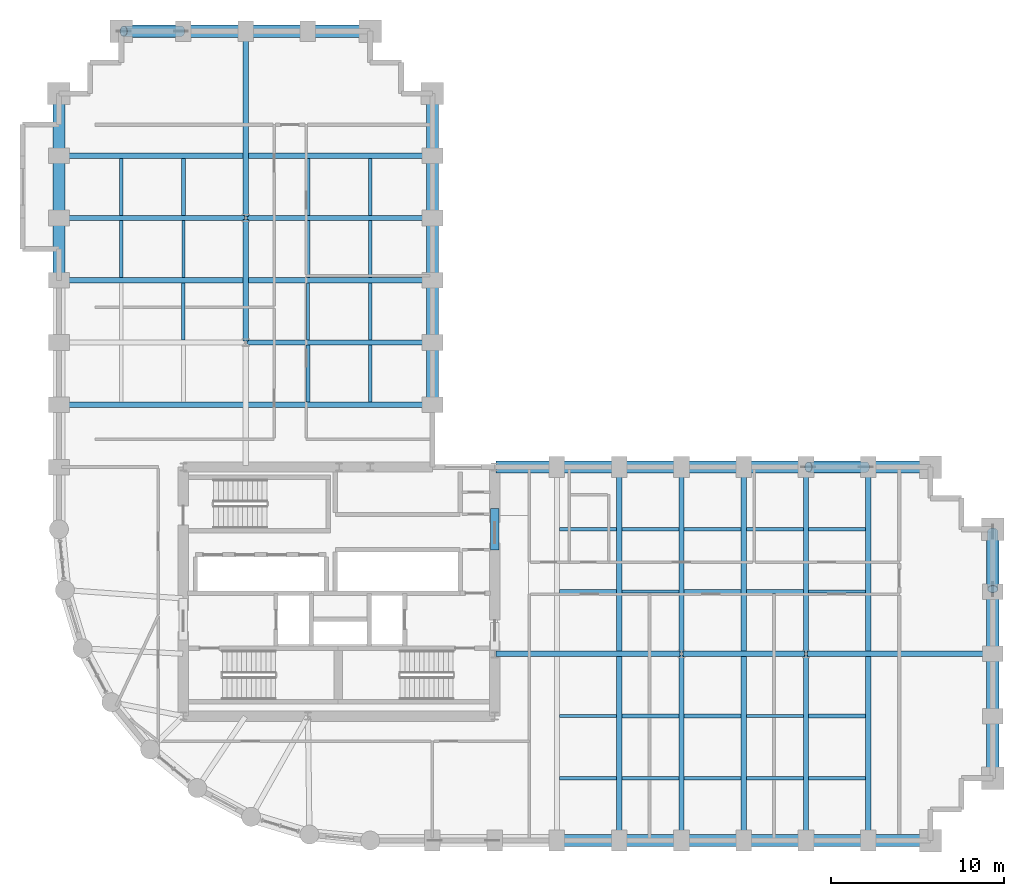
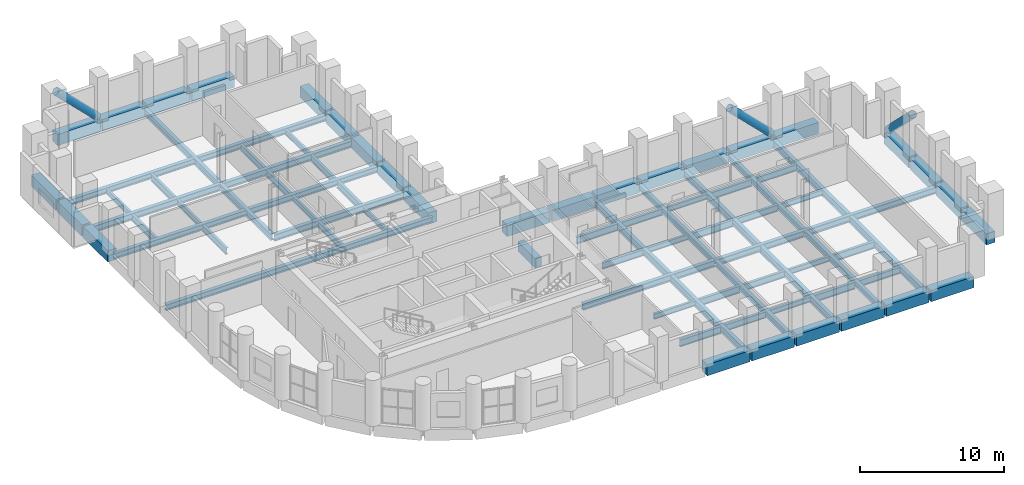
# One storey, part 6 of 13: 81 beams, 3 members.
"""IFC4 building model written with IfcOpenShell, lengths in metres."""

from ifc_helpers import new_model, si_unit, direction, frame, origin, origin_2d, place, context, subcontext, project, spatial, rectangle, hollow_circle, i_section, extrude, material, material_profile, profile_set, type_object, element, save


model = new_model("IFC4")

# Units and contexts
model_context = context("Model", 3, precision=1e-05, world=origin(), true_north=direction((0.0, 1.0)))
body_context = subcontext(model_context, "Body", "Model", "MODEL_VIEW")
ifc_project = project(units=[si_unit("LENGTHUNIT", "METRE"), si_unit("AREAUNIT", "SQUARE_METRE"), si_unit("VOLUMEUNIT", "CUBIC_METRE"), si_unit("PLANEANGLEUNIT", "RADIAN"), si_unit("MASSUNIT", "GRAM", prefix="KILO")], contexts=[model_context])

# Site, building, storey
site_placement = place(None, origin())
site = spatial("IfcSite", under=ifc_project, at=site_placement, CompositionType="ELEMENT")
building_placement = place(site_placement, origin())
building = spatial("IfcBuilding", under=site, at=building_placement, Name="Solnavia Interchange Tower", CompositionType="ELEMENT")
storey_placement = place(building_placement, frame((0.0, 0.0, 51.300048828125)))
storey = spatial("IfcBuildingStorey", under=building, at=storey_placement, Name="L12", CompositionType="ELEMENT", Elevation=51.300048828125)

# Beams
ifc_material_1 = material(Name="Concrete C50/60", Category="concrete")
ifc_material_profile_1 = material_profile(ifc_material_1, rectangle(XDim=0.5, YDim=0.800048828125, at=origin_2d()), Name="RC 500x800")
ifc_profile_set_1 = profile_set([ifc_material_profile_1], Name="Concrete C50/60")
beam_type_1 = type_object("IfcBeamType", Name="Beam-Coupling-RC500x800", PredefinedType="LINTEL", material=ifc_profile_set_1)
beam_1_placement = place(storey_placement, frame((32.39990234375, 20.39990234375, -0.400146484375), z_axis=(0.0, 1.0, 0.0), x_axis=(-1.0, 0.0, 0.0)))
element("IfcBeam", 1, at=beam_1_placement, inside=storey, type_object=beam_type_1, Name="CPB-L12-E2 Core coupling lintel beam", PredefinedType="LINTEL", context=body_context, shape_type="SweptSolid", body=[
    extrude(rectangle(XDim=0.5, YDim=0.800048828125, at=origin_2d()), origin(), (0.0, 0.0, 1.0), 2.400146484375),
])
ifc_material_2 = material(Name="Steel S460", Category="steel")
ifc_material_profile_2 = material_profile(ifc_material_2, i_section(OverallWidth=0.300048828125, OverallDepth=0.550048828125, WebThickness=0.014892578125, FlangeThickness=0.029052734375, FilletRadius=0.027099609375, at=origin_2d()), Name="HEB 550")
ifc_profile_set_2 = profile_set([ifc_material_profile_2], Name="Steel S460")
beam_type_2 = type_object("IfcBeamType", Name="Beam-Girder-HEB550", PredefinedType="BEAM", material=ifc_profile_set_2)
beam_2_placement = place(storey_placement, frame((32.47998046875, 14.39990234375, -0.525146484375), z_axis=(1.0, 0.0, 0.0), x_axis=(0.0, 1.0, 0.0)))
element("IfcBeam", 2, at=beam_2_placement, inside=storey, type_object=beam_type_2, Name="GRD-L12-ES01 East wing spine girder", PredefinedType="BEAM", context=body_context, shape_type="SweptSolid", body=[
    extrude(i_section(OverallWidth=0.300048828125, OverallDepth=0.550048828125, WebThickness=0.014892578125, FlangeThickness=0.029052734375, FilletRadius=0.027099609375, at=origin_2d()), origin(), (0.0, 0.0, 1.0), 10.64013671875),
])
beam_3_placement = place(storey_placement, frame((43.280029296875, 14.39990234375, -0.525146484375), z_axis=(1.0, 0.0, 0.0), x_axis=(0.0, 1.0, 0.0)))
element("IfcBeam", 3, at=beam_3_placement, inside=storey, type_object=beam_type_2, Name="GRD-L12-ES02 East wing spine girder", PredefinedType="BEAM", context=body_context, shape_type="SweptSolid", body=[
    extrude(i_section(OverallWidth=0.300048828125, OverallDepth=0.550048828125, WebThickness=0.014892578125, FlangeThickness=0.029052734375, FilletRadius=0.027099609375, at=origin_2d()), origin(), (0.0, 0.0, 1.0), 7.0400390625),
])
beam_4_placement = place(storey_placement, frame((50.47998046875, 14.39990234375, -0.525146484375), z_axis=(1.0, 0.0, 0.0), x_axis=(0.0, 1.0, 0.0)))
element("IfcBeam", 4, at=beam_4_placement, inside=storey, type_object=beam_type_2, Name="GRD-L12-ES03 East wing spine girder", PredefinedType="BEAM", context=body_context, shape_type="SweptSolid", body=[
    extrude(i_section(OverallWidth=0.300048828125, OverallDepth=0.550048828125, WebThickness=0.014892578125, FlangeThickness=0.029052734375, FilletRadius=0.027099609375, at=origin_2d()), origin(), (0.0, 0.0, 1.0), 10.64013671875),
])
beam_5_placement = place(storey_placement, frame((18.0, 32.47998046875, -0.525146484375), z_axis=(0.0, 1.0, 0.0), x_axis=(-1.0, 0.0, 0.0)))
element("IfcBeam", 5, at=beam_5_placement, inside=storey, type_object=beam_type_2, Name="GRD-L12-NS13 North wing spine girder", PredefinedType="BEAM", context=body_context, shape_type="SweptSolid", body=[
    extrude(i_section(OverallWidth=0.300048828125, OverallDepth=0.550048828125, WebThickness=0.014892578125, FlangeThickness=0.029052734375, FilletRadius=0.027099609375, at=origin_2d()), origin(), (0.0, 0.0, 1.0), 7.0400390625),
])
beam_6_placement = place(storey_placement, frame((18.0, 39.679931640625, -0.525146484375), z_axis=(0.0, 1.0, 0.0), x_axis=(-1.0, 0.0, 0.0)))
element("IfcBeam", 6, at=beam_6_placement, inside=storey, type_object=beam_type_2, Name="GRD-L12-NS14 North wing spine girder", PredefinedType="BEAM", context=body_context, shape_type="SweptSolid", body=[
    extrude(i_section(OverallWidth=0.300048828125, OverallDepth=0.550048828125, WebThickness=0.014892578125, FlangeThickness=0.029052734375, FilletRadius=0.027099609375, at=origin_2d()), origin(), (0.0, 0.0, 1.0), 10.64013671875),
])
for number, where, z_axis, x_axis, name in (
    (7, (18.080078125, 32.39990234375, -0.525146484375), (1.0, 0.0, 0.0), (0.0, 1.0, 0.0), "GRD-L12-NW17 North wing primary floor girder"),
    (8, (7.280029296875, 39.60009765625, -0.525146484375), (1.0, 0.0, 0.0), (0.0, 1.0, 0.0), "GRD-L12-NW19 North wing primary floor girder"),
    (9, (18.080078125, 39.60009765625, -0.525146484375), (1.0, 0.0, 0.0), (0.0, 1.0, 0.0), "GRD-L12-NW20 North wing primary floor girder"),
):
    element("IfcBeam", number, at=place(storey_placement, frame(where, z_axis=z_axis, x_axis=x_axis)), inside=storey, type_object=beam_type_2, Name=name, PredefinedType="BEAM", context=body_context, shape_type="SweptSolid", body=[
        extrude(i_section(OverallWidth=0.300048828125, OverallDepth=0.550048828125, WebThickness=0.014892578125, FlangeThickness=0.029052734375, FilletRadius=0.027099609375, at=origin_2d()), origin(), (0.0, 0.0, 1.0), 10.639892578125),
    ])
ifc_material_3 = material(Name="Steel S355", Category="steel")
ifc_material_profile_3 = material_profile(ifc_material_3, i_section(OverallWidth=0.18994140625, OverallDepth=0.449951171875, WebThickness=0.009521484375, FlangeThickness=0.0146484375, FilletRadius=0.02099609375, at=origin_2d()), Name="IPE 450")
ifc_profile_set_3 = profile_set([ifc_material_profile_3], Name="Steel S355")
beam_type_3 = type_object("IfcBeamType", Name="Beam-Joist-IPE450", PredefinedType="JOIST", material=ifc_profile_set_3)
beam_7_placement = place(storey_placement, frame((43.35009765625, 7.199951171875, -0.47509765625), z_axis=(1.0, 0.0, 0.0), x_axis=(0.0, 1.0, 0.0)))
element("IfcBeam", 10, at=beam_7_placement, inside=storey, type_object=beam_type_3, Name="JST-L12-E03 East wing secondary joist", PredefinedType="JOIST", context=body_context, shape_type="SweptSolid", body=[
    extrude(i_section(OverallWidth=0.18994140625, OverallDepth=0.449951171875, WebThickness=0.009521484375, FlangeThickness=0.0146484375, FilletRadius=0.02099609375, at=origin_2d()), origin(), (0.0, 0.0, 1.0), 3.2998046875),
])
for number, where, z_axis, x_axis, name in (
    (11, (36.14990234375, 10.800048828125, -0.47509765625), (1.0, 0.0, 0.0), (0.0, 1.0, 0.0), "JST-L12-E06 East wing secondary joist"),
    (12, (46.949951171875, 10.800048828125, -0.47509765625), (1.0, 0.0, 0.0), (0.0, 1.0, 0.0), "JST-L12-E09 East wing secondary joist"),
    (13, (39.75, 18.0, -0.47509765625), (1.0, 0.0, 0.0), (0.0, 1.0, 0.0), "JST-L12-E12 East wing secondary joist"),
    (14, (50.550048828125, 18.0, -0.47509765625), (1.0, 0.0, 0.0), (0.0, 1.0, 0.0), "JST-L12-E15 East wing secondary joist"),
):
    element("IfcBeam", number, at=place(storey_placement, frame(where, z_axis=z_axis, x_axis=x_axis)), inside=storey, type_object=beam_type_3, Name=name, PredefinedType="JOIST", context=body_context, shape_type="SweptSolid", body=[
        extrude(i_section(OverallWidth=0.18994140625, OverallDepth=0.449951171875, WebThickness=0.009521484375, FlangeThickness=0.0146484375, FilletRadius=0.02099609375, at=origin_2d()), origin(), (0.0, 0.0, 1.0), 3.300048828125),
    ])
beam_8_placement = place(storey_placement, frame((43.35009765625, 21.60009765625, -0.47509765625), z_axis=(1.0, 0.0, 0.0), x_axis=(0.0, 1.0, 0.0)))
element("IfcBeam", 15, at=beam_8_placement, inside=storey, type_object=beam_type_3, Name="JST-L12-E18 East wing secondary joist", PredefinedType="JOIST", context=body_context, shape_type="SweptSolid", body=[
    extrude(i_section(OverallWidth=0.18994140625, OverallDepth=0.449951171875, WebThickness=0.009521484375, FlangeThickness=0.0146484375, FilletRadius=0.02099609375, at=origin_2d()), origin(), (0.0, 0.0, 1.0), 3.2998046875),
])
for number, where, z_axis, x_axis, name in (
    (16, (10.800048828125, 39.75, -0.47509765625), (0.0, 1.0, 0.0), (-1.0, 0.0, 0.0), "JST-L12-N24 North wing secondary joist"),
    (17, (14.39990234375, 36.14990234375, -0.47509765625), (0.0, 1.0, 0.0), (-1.0, 0.0, 0.0), "JST-L12-N27 North wing secondary joist"),
    (18, (21.60009765625, 32.550048828125, -0.47509765625), (0.0, 1.0, 0.0), (-1.0, 0.0, 0.0), "JST-L12-N30 North wing secondary joist"),
    (19, (25.199951171875, 28.949951171875, -0.47509765625), (0.0, 1.0, 0.0), (-1.0, 0.0, 0.0), "JST-L12-N33 North wing secondary joist"),
    (20, (25.199951171875, 39.75, -0.47509765625), (0.0, 1.0, 0.0), (-1.0, 0.0, 0.0), "JST-L12-N36 North wing secondary joist"),
):
    element("IfcBeam", number, at=place(storey_placement, frame(where, z_axis=z_axis, x_axis=x_axis)), inside=storey, type_object=beam_type_3, Name=name, PredefinedType="JOIST", context=body_context, shape_type="SweptSolid", body=[
        extrude(i_section(OverallWidth=0.18994140625, OverallDepth=0.449951171875, WebThickness=0.009521484375, FlangeThickness=0.0146484375, FilletRadius=0.02099609375, at=origin_2d()), origin(), (0.0, 0.0, 1.0), 3.300048828125),
    ])
ifc_material_profile_4 = material_profile(ifc_material_3, i_section(OverallWidth=0.2099609375, OverallDepth=0.550048828125, WebThickness=0.010986328125, FlangeThickness=0.01708984375, FilletRadius=0.02392578125, at=origin_2d()), Name="IPE 550")
ifc_profile_set_4 = profile_set([ifc_material_profile_4], Name="Steel S355")
beam_type_4 = type_object("IfcBeamType", Name="Beam-Joist-IPE550", PredefinedType="JOIST", material=ifc_profile_set_4)
for number, where, z_axis, x_axis, name in (
    (21, (39.75, 7.199951171875, -0.525146484375), (1.0, 0.0, 0.0), (0.0, 1.0, 0.0), "JST-L12-E02 East wing secondary joist"),
    (22, (50.550048828125, 7.199951171875, -0.525146484375), (1.0, 0.0, 0.0), (0.0, 1.0, 0.0), "JST-L12-E05 East wing secondary joist"),
):
    element("IfcBeam", number, at=place(storey_placement, frame(where, z_axis=z_axis, x_axis=x_axis)), inside=storey, type_object=beam_type_4, Name=name, PredefinedType="JOIST", context=body_context, shape_type="SweptSolid", body=[
        extrude(i_section(OverallWidth=0.2099609375, OverallDepth=0.550048828125, WebThickness=0.010986328125, FlangeThickness=0.01708984375, FilletRadius=0.02392578125, at=origin_2d()), origin(), (0.0, 0.0, 1.0), 3.300048828125),
    ])
beam_9_placement = place(storey_placement, frame((43.35009765625, 10.800048828125, -0.525146484375), z_axis=(1.0, 0.0, 0.0), x_axis=(0.0, 1.0, 0.0)))
element("IfcBeam", 23, at=beam_9_placement, inside=storey, type_object=beam_type_4, Name="JST-L12-E08 East wing secondary joist", PredefinedType="JOIST", context=body_context, shape_type="SweptSolid", body=[
    extrude(i_section(OverallWidth=0.2099609375, OverallDepth=0.550048828125, WebThickness=0.010986328125, FlangeThickness=0.01708984375, FilletRadius=0.02392578125, at=origin_2d()), origin(), (0.0, 0.0, 1.0), 3.2998046875),
])
for number, where, z_axis, x_axis, name in (
    (24, (36.14990234375, 18.0, -0.525146484375), (1.0, 0.0, 0.0), (0.0, 1.0, 0.0), "JST-L12-E11 East wing secondary joist"),
    (25, (46.949951171875, 18.0, -0.525146484375), (1.0, 0.0, 0.0), (0.0, 1.0, 0.0), "JST-L12-E14 East wing secondary joist"),
    (26, (39.75, 21.60009765625, -0.525146484375), (1.0, 0.0, 0.0), (0.0, 1.0, 0.0), "JST-L12-E17 East wing secondary joist"),
    (27, (50.550048828125, 21.60009765625, -0.525146484375), (1.0, 0.0, 0.0), (0.0, 1.0, 0.0), "JST-L12-E20 East wing secondary joist"),
    (28, (10.800048828125, 36.14990234375, -0.525146484375), (0.0, 1.0, 0.0), (-1.0, 0.0, 0.0), "JST-L12-N23 North wing secondary joist"),
    (29, (14.39990234375, 32.550048828125, -0.525146484375), (0.0, 1.0, 0.0), (-1.0, 0.0, 0.0), "JST-L12-N26 North wing secondary joist"),
    (30, (21.60009765625, 28.949951171875, -0.525146484375), (0.0, 1.0, 0.0), (-1.0, 0.0, 0.0), "JST-L12-N29 North wing secondary joist"),
    (31, (21.60009765625, 39.75, -0.525146484375), (0.0, 1.0, 0.0), (-1.0, 0.0, 0.0), "JST-L12-N32 North wing secondary joist"),
    (32, (25.199951171875, 36.14990234375, -0.525146484375), (0.0, 1.0, 0.0), (-1.0, 0.0, 0.0), "JST-L12-N35 North wing secondary joist"),
):
    element("IfcBeam", number, at=place(storey_placement, frame(where, z_axis=z_axis, x_axis=x_axis)), inside=storey, type_object=beam_type_4, Name=name, PredefinedType="JOIST", context=body_context, shape_type="SweptSolid", body=[
        extrude(i_section(OverallWidth=0.2099609375, OverallDepth=0.550048828125, WebThickness=0.010986328125, FlangeThickness=0.01708984375, FilletRadius=0.02392578125, at=origin_2d()), origin(), (0.0, 0.0, 1.0), 3.300048828125),
    ])
ifc_material_profile_5 = material_profile(ifc_material_3, i_section(OverallWidth=0.219970703125, OverallDepth=0.60009765625, WebThickness=0.011962890625, FlangeThickness=0.01904296875, FilletRadius=0.02392578125, at=origin_2d()), Name="IPE 600")
ifc_profile_set_5 = profile_set([ifc_material_profile_5], Name="Steel S355")
beam_type_5 = type_object("IfcBeamType", Name="Beam-Joist-IPE600", PredefinedType="JOIST", material=ifc_profile_set_5)
for number, where, z_axis, x_axis, name in (
    (33, (36.14990234375, 7.199951171875, -0.550048828125), (1.0, 0.0, 0.0), (0.0, 1.0, 0.0), "JST-L12-E01 East wing secondary joist"),
    (34, (46.949951171875, 7.199951171875, -0.550048828125), (1.0, 0.0, 0.0), (0.0, 1.0, 0.0), "JST-L12-E04 East wing secondary joist"),
    (35, (39.75, 10.800048828125, -0.550048828125), (1.0, 0.0, 0.0), (0.0, 1.0, 0.0), "JST-L12-E07 East wing secondary joist"),
    (36, (50.550048828125, 10.800048828125, -0.550048828125), (1.0, 0.0, 0.0), (0.0, 1.0, 0.0), "JST-L12-E10 East wing secondary joist"),
):
    element("IfcBeam", number, at=place(storey_placement, frame(where, z_axis=z_axis, x_axis=x_axis)), inside=storey, type_object=beam_type_5, Name=name, PredefinedType="JOIST", context=body_context, shape_type="SweptSolid", body=[
        extrude(i_section(OverallWidth=0.219970703125, OverallDepth=0.60009765625, WebThickness=0.011962890625, FlangeThickness=0.01904296875, FilletRadius=0.02392578125, at=origin_2d()), origin(), (0.0, 0.0, 1.0), 3.300048828125),
    ])
beam_10_placement = place(storey_placement, frame((43.35009765625, 18.0, -0.550048828125), z_axis=(1.0, 0.0, 0.0), x_axis=(0.0, 1.0, 0.0)))
element("IfcBeam", 37, at=beam_10_placement, inside=storey, type_object=beam_type_5, Name="JST-L12-E13 East wing secondary joist", PredefinedType="JOIST", context=body_context, shape_type="SweptSolid", body=[
    extrude(i_section(OverallWidth=0.219970703125, OverallDepth=0.60009765625, WebThickness=0.011962890625, FlangeThickness=0.01904296875, FilletRadius=0.02392578125, at=origin_2d()), origin(), (0.0, 0.0, 1.0), 3.2998046875),
])
for number, where, z_axis, x_axis, name in (
    (38, (36.14990234375, 21.60009765625, -0.550048828125), (1.0, 0.0, 0.0), (0.0, 1.0, 0.0), "JST-L12-E16 East wing secondary joist"),
    (39, (46.949951171875, 21.60009765625, -0.550048828125), (1.0, 0.0, 0.0), (0.0, 1.0, 0.0), "JST-L12-E19 East wing secondary joist"),
    (40, (14.39990234375, 39.75, -0.550048828125), (0.0, 1.0, 0.0), (-1.0, 0.0, 0.0), "JST-L12-N28 North wing secondary joist"),
    (41, (21.60009765625, 36.14990234375, -0.550048828125), (0.0, 1.0, 0.0), (-1.0, 0.0, 0.0), "JST-L12-N31 North wing secondary joist"),
    (42, (25.199951171875, 32.550048828125, -0.550048828125), (0.0, 1.0, 0.0), (-1.0, 0.0, 0.0), "JST-L12-N34 North wing secondary joist"),
):
    element("IfcBeam", number, at=place(storey_placement, frame(where, z_axis=z_axis, x_axis=x_axis)), inside=storey, type_object=beam_type_5, Name=name, PredefinedType="JOIST", context=body_context, shape_type="SweptSolid", body=[
        extrude(i_section(OverallWidth=0.219970703125, OverallDepth=0.60009765625, WebThickness=0.011962890625, FlangeThickness=0.01904296875, FilletRadius=0.02392578125, at=origin_2d()), origin(), (0.0, 0.0, 1.0), 3.300048828125),
    ])
ifc_material_profile_6 = material_profile(ifc_material_3, i_section(OverallWidth=0.300048828125, OverallDepth=0.489990234375, WebThickness=0.011962890625, FlangeThickness=0.02294921875, FilletRadius=0.027099609375, at=origin_2d()), Name="HEA 500")
ifc_profile_set_6 = profile_set([ifc_material_profile_6], Name="Steel S355")
beam_type_6 = type_object("IfcBeamType", Name="Beam-Primary-HEA500", PredefinedType="BEAM", material=ifc_profile_set_6)
for number, where, z_axis, x_axis, name in (
    (43, (43.199951171875, 3.679931640625, -0.4951171875), (0.0, 1.0, 0.0), (-1.0, 0.0, 0.0), "GRD-L12-EW06 East wing primary floor girder"),
    (44, (43.199951171875, 14.47998046875, -0.4951171875), (0.0, 1.0, 0.0), (-1.0, 0.0, 0.0), "GRD-L12-EW07 East wing primary floor girder"),
    (45, (50.39990234375, 3.679931640625, -0.4951171875), (0.0, 1.0, 0.0), (-1.0, 0.0, 0.0), "GRD-L12-EW09 East wing primary floor girder"),
    (46, (50.39990234375, 14.47998046875, -0.4951171875), (0.0, 1.0, 0.0), (-1.0, 0.0, 0.0), "GRD-L12-EW10 East wing primary floor girder"),
):
    element("IfcBeam", number, at=place(storey_placement, frame(where, z_axis=z_axis, x_axis=x_axis)), inside=storey, type_object=beam_type_6, Name=name, PredefinedType="BEAM", context=body_context, shape_type="SweptSolid", body=[
        extrude(i_section(OverallWidth=0.300048828125, OverallDepth=0.489990234375, WebThickness=0.011962890625, FlangeThickness=0.02294921875, FilletRadius=0.027099609375, at=origin_2d()), origin(), (0.0, 0.0, 1.0), 10.64013671875),
    ])
for number, where, z_axis, x_axis, name in (
    (47, (7.280029296875, 28.800048828125, -0.4951171875), (1.0, 0.0, 0.0), (0.0, 1.0, 0.0), "GRD-L12-NW15 North wing primary floor girder"),
    (48, (7.280029296875, 36.0, -0.4951171875), (1.0, 0.0, 0.0), (0.0, 1.0, 0.0), "GRD-L12-NW18 North wing primary floor girder"),
    (49, (7.280029296875, 43.199951171875, -0.4951171875), (1.0, 0.0, 0.0), (0.0, 1.0, 0.0), "GRD-L12-NW21 North wing primary floor girder"),
):
    element("IfcBeam", number, at=place(storey_placement, frame(where, z_axis=z_axis, x_axis=x_axis)), inside=storey, type_object=beam_type_6, Name=name, PredefinedType="BEAM", context=body_context, shape_type="SweptSolid", body=[
        extrude(i_section(OverallWidth=0.300048828125, OverallDepth=0.489990234375, WebThickness=0.011962890625, FlangeThickness=0.02294921875, FilletRadius=0.027099609375, at=origin_2d()), origin(), (0.0, 0.0, 1.0), 21.43994140625),
    ])
ifc_material_profile_7 = material_profile(ifc_material_3, i_section(OverallWidth=0.300048828125, OverallDepth=0.590087890625, WebThickness=0.012939453125, FlangeThickness=0.02490234375, FilletRadius=0.027099609375, at=origin_2d()), Name="HEA 600")
ifc_profile_set_7 = profile_set([ifc_material_profile_7], Name="Steel S355")
beam_type_7 = type_object("IfcBeamType", Name="Beam-Primary-HEA600", PredefinedType="BEAM", material=ifc_profile_set_7)
for number, where, z_axis, x_axis, name in (
    (50, (39.60009765625, 3.679931640625, -0.545166015625), (0.0, 1.0, 0.0), (-1.0, 0.0, 0.0), "GRD-L12-EW05 East wing primary floor girder"),
    (51, (46.800048828125, 3.679931640625, -0.545166015625), (0.0, 1.0, 0.0), (-1.0, 0.0, 0.0), "GRD-L12-EW08 East wing primary floor girder"),
    (52, (54.0, 3.679931640625, -0.545166015625), (0.0, 1.0, 0.0), (-1.0, 0.0, 0.0), "GRD-L12-EW11 East wing primary floor girder"),
):
    element("IfcBeam", number, at=place(storey_placement, frame(where, z_axis=z_axis, x_axis=x_axis)), inside=storey, type_object=beam_type_7, Name=name, PredefinedType="BEAM", context=body_context, shape_type="SweptSolid", body=[
        extrude(i_section(OverallWidth=0.300048828125, OverallDepth=0.590087890625, WebThickness=0.012939453125, FlangeThickness=0.02490234375, FilletRadius=0.027099609375, at=origin_2d()), origin(), (0.0, 0.0, 1.0), 21.440185546875),
    ])
ifc_material_profile_8 = material_profile(ifc_material_1, rectangle(XDim=0.699951171875, YDim=0.949951171875, at=origin_2d()), Name="RC 700x950")
ifc_profile_set_8 = profile_set([ifc_material_profile_8], Name="Concrete C50/60")
beam_type_8 = type_object("IfcBeamType", Name="Beam-Spandrel-RC700x950", PredefinedType="SPANDREL", material=ifc_profile_set_8)
beam_11_placement = place(storey_placement, frame((36.080078125, 3.60009765625, -0.47509765625), z_axis=(1.0, 0.0, 0.0), x_axis=(0.0, 1.0, 0.0)))
element("IfcBeam", 53, at=beam_11_placement, inside=storey, type_object=beam_type_8, Name="SPB-L12-12 Framed-tube perimeter spandrel beam", PredefinedType="SPANDREL", context=body_context, shape_type="SweptSolid", body=[
    extrude(rectangle(XDim=0.699951171875, YDim=0.949951171875, at=origin_2d()), origin(), (0.0, 0.0, 1.0), 3.43994140625),
])
beam_12_placement = place(storey_placement, frame((39.679931640625, 3.60009765625, -0.47509765625), z_axis=(1.0, 0.0, 0.0), x_axis=(0.0, 1.0, 0.0)))
element("IfcBeam", 54, at=beam_12_placement, inside=storey, type_object=beam_type_8, Name="SPB-L12-13 Framed-tube perimeter spandrel beam", PredefinedType="SPANDREL", context=body_context, shape_type="SweptSolid", body=[
    extrude(rectangle(XDim=0.699951171875, YDim=0.949951171875, at=origin_2d()), origin(), (0.0, 0.0, 1.0), 3.440185546875),
])
beam_13_placement = place(storey_placement, frame((43.280029296875, 3.60009765625, -0.47509765625), z_axis=(1.0, 0.0, 0.0), x_axis=(0.0, 1.0, 0.0)))
element("IfcBeam", 55, at=beam_13_placement, inside=storey, type_object=beam_type_8, Name="SPB-L12-14 Framed-tube perimeter spandrel beam", PredefinedType="SPANDREL", context=body_context, shape_type="SweptSolid", body=[
    extrude(rectangle(XDim=0.699951171875, YDim=0.949951171875, at=origin_2d()), origin(), (0.0, 0.0, 1.0), 3.43994140625),
])
beam_14_placement = place(storey_placement, frame((46.8798828125, 3.60009765625, -0.47509765625), z_axis=(1.0, 0.0, 0.0), x_axis=(0.0, 1.0, 0.0)))
element("IfcBeam", 56, at=beam_14_placement, inside=storey, type_object=beam_type_8, Name="SPB-L12-15 Framed-tube perimeter spandrel beam", PredefinedType="SPANDREL", context=body_context, shape_type="SweptSolid", body=[
    extrude(rectangle(XDim=0.699951171875, YDim=0.949951171875, at=origin_2d()), origin(), (0.0, 0.0, 1.0), 3.440185546875),
])
for number, where, z_axis, x_axis, name in (
    (57, (50.47998046875, 3.60009765625, -0.47509765625), (1.0, 0.0, 0.0), (0.0, 1.0, 0.0), "SPB-L12-16 Framed-tube perimeter spandrel beam"),
    (58, (54.080078125, 3.60009765625, -0.47509765625), (1.0, 0.0, 0.0), (0.0, 1.0, 0.0), "SPB-L12-17 Framed-tube perimeter spandrel beam"),
    (59, (61.199951171875, 7.280029296875, -0.47509765625), (0.0, 1.0, 0.0), (-1.0, 0.0, 0.0), "SPB-L12-18 Framed-tube perimeter spandrel beam"),
):
    element("IfcBeam", number, at=place(storey_placement, frame(where, z_axis=z_axis, x_axis=x_axis)), inside=storey, type_object=beam_type_8, Name=name, PredefinedType="SPANDREL", context=body_context, shape_type="SweptSolid", body=[
        extrude(rectangle(XDim=0.699951171875, YDim=0.949951171875, at=origin_2d()), origin(), (0.0, 0.0, 1.0), 3.43994140625),
    ])
beam_15_placement = place(storey_placement, frame((61.199951171875, 10.8798828125, -0.47509765625), z_axis=(0.0, 1.0, 0.0), x_axis=(-1.0, 0.0, 0.0)))
element("IfcBeam", 60, at=beam_15_placement, inside=storey, type_object=beam_type_8, Name="SPB-L12-19 Framed-tube perimeter spandrel beam", PredefinedType="SPANDREL", context=body_context, shape_type="SweptSolid", body=[
    extrude(rectangle(XDim=0.699951171875, YDim=0.949951171875, at=origin_2d()), origin(), (0.0, 0.0, 1.0), 3.440185546875),
])
for number, where, z_axis, x_axis, name in (
    (61, (61.199951171875, 14.47998046875, -0.47509765625), (0.0, 1.0, 0.0), (-1.0, 0.0, 0.0), "SPB-L12-20 Framed-tube perimeter spandrel beam"),
    (62, (61.199951171875, 18.080078125, -0.47509765625), (0.0, 1.0, 0.0), (-1.0, 0.0, 0.0), "SPB-L12-21 Framed-tube perimeter spandrel beam"),
    (63, (57.52001953125, 25.199951171875, -0.47509765625), (-1.0, 0.0, 0.0), (0.0, -1.0, 0.0), "SPB-L12-22 Framed-tube perimeter spandrel beam"),
    (64, (53.919921875, 25.199951171875, -0.47509765625), (-1.0, 0.0, 0.0), (0.0, -1.0, 0.0), "SPB-L12-23 Framed-tube perimeter spandrel beam"),
):
    element("IfcBeam", number, at=place(storey_placement, frame(where, z_axis=z_axis, x_axis=x_axis)), inside=storey, type_object=beam_type_8, Name=name, PredefinedType="SPANDREL", context=body_context, shape_type="SweptSolid", body=[
        extrude(rectangle(XDim=0.699951171875, YDim=0.949951171875, at=origin_2d()), origin(), (0.0, 0.0, 1.0), 3.43994140625),
    ])
beam_16_placement = place(storey_placement, frame((50.320068359375, 25.199951171875, -0.47509765625), z_axis=(-1.0, 0.0, 0.0), x_axis=(0.0, -1.0, 0.0)))
element("IfcBeam", 65, at=beam_16_placement, inside=storey, type_object=beam_type_8, Name="SPB-L12-24 Framed-tube perimeter spandrel beam", PredefinedType="SPANDREL", context=body_context, shape_type="SweptSolid", body=[
    extrude(rectangle(XDim=0.699951171875, YDim=0.949951171875, at=origin_2d()), origin(), (0.0, 0.0, 1.0), 3.440185546875),
])
beam_17_placement = place(storey_placement, frame((46.719970703125, 25.199951171875, -0.47509765625), z_axis=(-1.0, 0.0, 0.0), x_axis=(0.0, -1.0, 0.0)))
element("IfcBeam", 66, at=beam_17_placement, inside=storey, type_object=beam_type_8, Name="SPB-L12-25 Framed-tube perimeter spandrel beam", PredefinedType="SPANDREL", context=body_context, shape_type="SweptSolid", body=[
    extrude(rectangle(XDim=0.699951171875, YDim=0.949951171875, at=origin_2d()), origin(), (0.0, 0.0, 1.0), 3.43994140625),
])
beam_18_placement = place(storey_placement, frame((43.1201171875, 25.199951171875, -0.47509765625), z_axis=(-1.0, 0.0, 0.0), x_axis=(0.0, -1.0, 0.0)))
element("IfcBeam", 67, at=beam_18_placement, inside=storey, type_object=beam_type_8, Name="SPB-L12-26 Framed-tube perimeter spandrel beam", PredefinedType="SPANDREL", context=body_context, shape_type="SweptSolid", body=[
    extrude(rectangle(XDim=0.699951171875, YDim=0.949951171875, at=origin_2d()), origin(), (0.0, 0.0, 1.0), 3.440185546875),
])
for number, where, z_axis, x_axis, name in (
    (68, (39.52001953125, 25.199951171875, -0.47509765625), (-1.0, 0.0, 0.0), (0.0, -1.0, 0.0), "SPB-L12-27 Framed-tube perimeter spandrel beam"),
    (69, (35.919921875, 25.199951171875, -0.47509765625), (-1.0, 0.0, 0.0), (0.0, -1.0, 0.0), "SPB-L12-28 Framed-tube perimeter spandrel beam"),
):
    element("IfcBeam", number, at=place(storey_placement, frame(where, z_axis=z_axis, x_axis=x_axis)), inside=storey, type_object=beam_type_8, Name=name, PredefinedType="SPANDREL", context=body_context, shape_type="SweptSolid", body=[
        extrude(rectangle(XDim=0.699951171875, YDim=0.949951171875, at=origin_2d()), origin(), (0.0, 0.0, 1.0), 3.43994140625),
    ])
beam_19_placement = place(storey_placement, frame((28.800048828125, 28.8798828125, -0.47509765625), z_axis=(0.0, 1.0, 0.0), x_axis=(-1.0, 0.0, 0.0)))
element("IfcBeam", 70, at=beam_19_placement, inside=storey, type_object=beam_type_8, Name="SPB-L12-29 Framed-tube perimeter spandrel beam", PredefinedType="SPANDREL", context=body_context, shape_type="SweptSolid", body=[
    extrude(rectangle(XDim=0.699951171875, YDim=0.949951171875, at=origin_2d()), origin(), (0.0, 0.0, 1.0), 3.440185546875),
])
for number, where, z_axis, x_axis, name in (
    (71, (28.800048828125, 32.47998046875, -0.47509765625), (0.0, 1.0, 0.0), (-1.0, 0.0, 0.0), "SPB-L12-30 Framed-tube perimeter spandrel beam"),
    (72, (28.800048828125, 36.080078125, -0.47509765625), (0.0, 1.0, 0.0), (-1.0, 0.0, 0.0), "SPB-L12-31 Framed-tube perimeter spandrel beam"),
):
    element("IfcBeam", number, at=place(storey_placement, frame(where, z_axis=z_axis, x_axis=x_axis)), inside=storey, type_object=beam_type_8, Name=name, PredefinedType="SPANDREL", context=body_context, shape_type="SweptSolid", body=[
        extrude(rectangle(XDim=0.699951171875, YDim=0.949951171875, at=origin_2d()), origin(), (0.0, 0.0, 1.0), 3.43994140625),
    ])
beam_20_placement = place(storey_placement, frame((28.800048828125, 39.679931640625, -0.47509765625), z_axis=(0.0, 1.0, 0.0), x_axis=(-1.0, 0.0, 0.0)))
element("IfcBeam", 73, at=beam_20_placement, inside=storey, type_object=beam_type_8, Name="SPB-L12-32 Framed-tube perimeter spandrel beam", PredefinedType="SPANDREL", context=body_context, shape_type="SweptSolid", body=[
    extrude(rectangle(XDim=0.699951171875, YDim=0.949951171875, at=origin_2d()), origin(), (0.0, 0.0, 1.0), 3.440185546875),
])
beam_21_placement = place(storey_placement, frame((28.800048828125, 43.280029296875, -0.47509765625), z_axis=(0.0, 1.0, 0.0), x_axis=(-1.0, 0.0, 0.0)))
element("IfcBeam", 74, at=beam_21_placement, inside=storey, type_object=beam_type_8, Name="SPB-L12-33 Framed-tube perimeter spandrel beam", PredefinedType="SPANDREL", context=body_context, shape_type="SweptSolid", body=[
    extrude(rectangle(XDim=0.699951171875, YDim=0.949951171875, at=origin_2d()), origin(), (0.0, 0.0, 1.0), 3.43994140625),
])
beam_22_placement = place(storey_placement, frame((25.1201171875, 50.39990234375, -0.47509765625), z_axis=(-1.0, 0.0, 0.0), x_axis=(0.0, -1.0, 0.0)))
element("IfcBeam", 75, at=beam_22_placement, inside=storey, type_object=beam_type_8, Name="SPB-L12-34 Framed-tube perimeter spandrel beam", PredefinedType="SPANDREL", context=body_context, shape_type="SweptSolid", body=[
    extrude(rectangle(XDim=0.699951171875, YDim=0.949951171875, at=origin_2d()), origin(), (0.0, 0.0, 1.0), 3.440185546875),
])
for number, where, z_axis, x_axis, name in (
    (76, (21.52001953125, 50.39990234375, -0.47509765625), (-1.0, 0.0, 0.0), (0.0, -1.0, 0.0), "SPB-L12-35 Framed-tube perimeter spandrel beam"),
    (77, (17.919921875, 50.39990234375, -0.47509765625), (-1.0, 0.0, 0.0), (0.0, -1.0, 0.0), "SPB-L12-36 Framed-tube perimeter spandrel beam"),
):
    element("IfcBeam", number, at=place(storey_placement, frame(where, z_axis=z_axis, x_axis=x_axis)), inside=storey, type_object=beam_type_8, Name=name, PredefinedType="SPANDREL", context=body_context, shape_type="SweptSolid", body=[
        extrude(rectangle(XDim=0.699951171875, YDim=0.949951171875, at=origin_2d()), origin(), (0.0, 0.0, 1.0), 3.43994140625),
    ])
beam_23_placement = place(storey_placement, frame((14.320068359375, 50.39990234375, -0.47509765625), z_axis=(-1.0, 0.0, 0.0), x_axis=(0.0, -1.0, 0.0)))
element("IfcBeam", 78, at=beam_23_placement, inside=storey, type_object=beam_type_8, Name="SPB-L12-37 Framed-tube perimeter spandrel beam", PredefinedType="SPANDREL", context=body_context, shape_type="SweptSolid", body=[
    extrude(rectangle(XDim=0.699951171875, YDim=0.949951171875, at=origin_2d()), origin(), (0.0, 0.0, 1.0), 3.440185546875),
])
beam_24_placement = place(storey_placement, frame((7.199951171875, 46.719970703125, -0.47509765625), z_axis=(0.0, -1.0, 0.0), x_axis=(1.0, 0.0, 0.0)))
element("IfcBeam", 79, at=beam_24_placement, inside=storey, type_object=beam_type_8, Name="SPB-L12-38 Framed-tube perimeter spandrel beam", PredefinedType="SPANDREL", context=body_context, shape_type="SweptSolid", body=[
    extrude(rectangle(XDim=0.699951171875, YDim=0.949951171875, at=origin_2d()), origin(), (0.0, 0.0, 1.0), 3.43994140625),
])
beam_25_placement = place(storey_placement, frame((7.199951171875, 43.1201171875, -0.47509765625), z_axis=(0.0, -1.0, 0.0), x_axis=(1.0, 0.0, 0.0)))
element("IfcBeam", 80, at=beam_25_placement, inside=storey, type_object=beam_type_8, Name="SPB-L12-39 Framed-tube perimeter spandrel beam", PredefinedType="SPANDREL", context=body_context, shape_type="SweptSolid", body=[
    extrude(rectangle(XDim=0.699951171875, YDim=0.949951171875, at=origin_2d()), origin(), (0.0, 0.0, 1.0), 3.440185546875),
])
beam_26_placement = place(storey_placement, frame((7.199951171875, 39.52001953125, -0.47509765625), z_axis=(0.0, -1.0, 0.0), x_axis=(1.0, 0.0, 0.0)))
element("IfcBeam", 81, at=beam_26_placement, inside=storey, type_object=beam_type_8, Name="SPB-L12-40 Framed-tube perimeter spandrel beam", PredefinedType="SPANDREL", context=body_context, shape_type="SweptSolid", body=[
    extrude(rectangle(XDim=0.699951171875, YDim=0.949951171875, at=origin_2d()), origin(), (0.0, 0.0, 1.0), 3.43994140625),
])

# Members
ifc_material_profile_9 = material_profile(ifc_material_2, hollow_circle(Radius=0.304931640625, WallThickness=0.02490234375, at=origin_2d()), Name="CHS 610x25")
ifc_profile_set_9 = profile_set([ifc_material_profile_9], Name="Steel S460")
member_type = type_object("IfcMemberType", Name="Brace-Perim-CHS610", PredefinedType="BRACE", material=ifc_profile_set_9)
for number, where, z_axis, x_axis, name in (
    (82, (61.199951171875, 21.4599609375, 0.179931640625), (0.0, -0.710311792477, 0.703887176661), (1.0, 0.0, 0.0), "BRC-L12-02 Perimeter tube diagonal brace"),
    (83, (14.260009765625, 50.39990234375, 0.179931640625), (-0.710311792477, 0.0, 0.703887176661), (0.0, -1.0, 0.0), "BRC-L12-03 Perimeter tube diagonal brace"),
    (84, (53.860107421875, 25.199951171875, 0.179931640625), (-0.710311792477, 0.0, 0.703887176661), (0.0, -1.0, 0.0), "BRC-L12-04 Perimeter tube diagonal brace"),
):
    element("IfcMember", number, at=place(storey_placement, frame(where, z_axis=z_axis, x_axis=x_axis)), inside=storey, type_object=member_type, Name=name, PredefinedType="BRACE", context=body_context, shape_type="SweptSolid", body=[
        extrude(hollow_circle(Radius=0.304931640625, WallThickness=0.02490234375, at=origin_2d()), origin(), (0.0, 0.0, 1.0), 4.674072265625),
    ])

save(model, "model.ifc")
